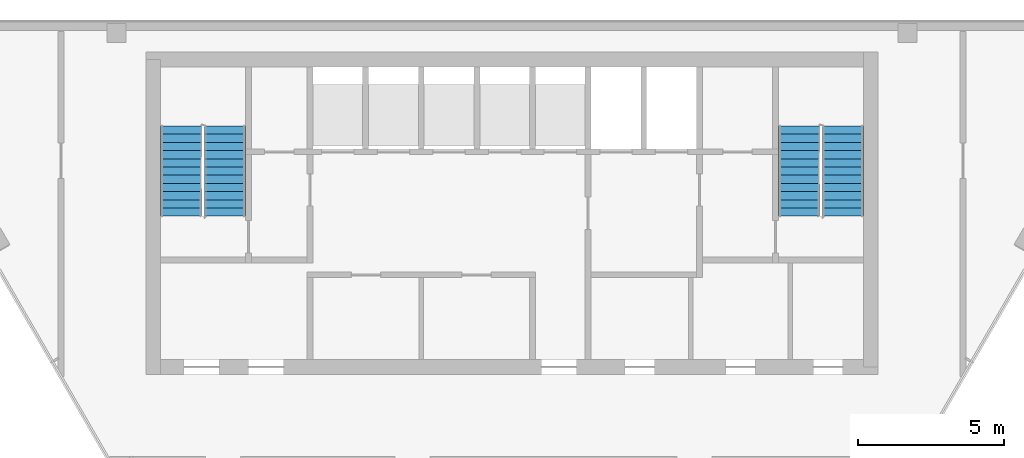
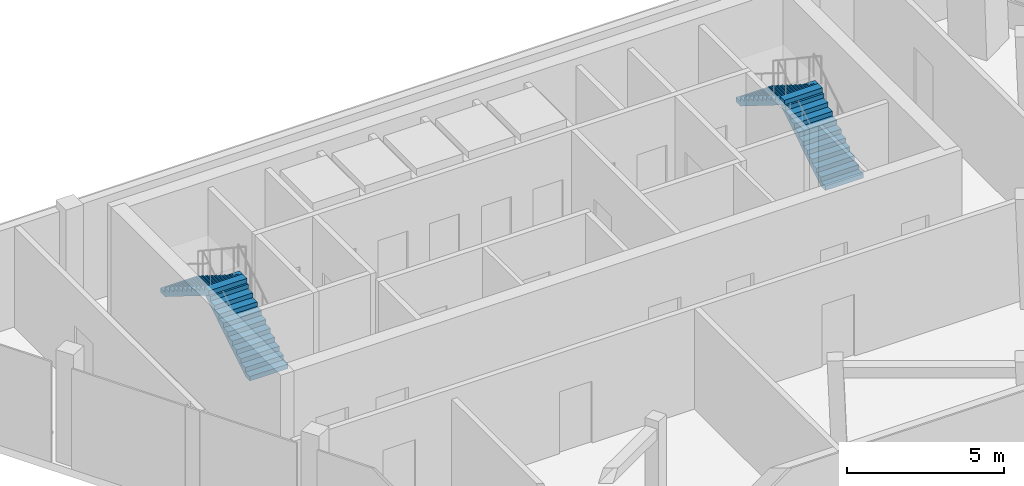
# One storey, part 6 of 8: 4 stair flights, 2 elements without a shape of their own.
"""IFC4 building model written with IfcOpenShell, lengths in metres."""

from ifc_helpers import new_model, si_unit, direction, frame, origin, place, context, subcontext, project, spatial, polyline, outline, extrude, material, type_object, element, aggregate, save


model = new_model("IFC4")

# Units and contexts
model_context = context("Model", 3, precision=1e-05, world=origin(), true_north=direction((0.0, 1.0)))
body_context = subcontext(model_context, "Body", "Model", "MODEL_VIEW")
ifc_project = project(units=[si_unit("LENGTHUNIT", "METRE"), si_unit("AREAUNIT", "SQUARE_METRE"), si_unit("VOLUMEUNIT", "CUBIC_METRE"), si_unit("PLANEANGLEUNIT", "RADIAN"), si_unit("MASSUNIT", "GRAM", prefix="KILO")], contexts=[model_context])

# Site, building, storey
site_placement = place(None, origin())
site = spatial("IfcSite", under=ifc_project, at=site_placement, CompositionType="ELEMENT")
building_placement = place(site_placement, origin())
building = spatial("IfcBuilding", under=site, at=building_placement, Name="Altiplano Prism Tower", CompositionType="ELEMENT")
storey_placement = place(building_placement, frame((0.0, 0.0, 338.800048828125)))
storey = spatial("IfcBuildingStorey", under=building, at=storey_placement, Name="L88", CompositionType="ELEMENT", Elevation=338.800048828125)

# Stair, stair flights
ifc_material = material(Name="Concrete C40/50", Category="concrete")
stair_type = type_object("IfcStairType", Name="Exit stair 1400", PredefinedType="HALF_TURN_STAIR", material=ifc_material)
stair_1_placement = place(storey_placement, origin())
stair_1 = element("IfcStair", 1, at=stair_1_placement, inside=storey, type_object=stair_type, Name="L88 Exit Stair 1", PredefinedType="HALF_TURN_STAIR")
stair_flight_type = type_object("IfcStairFlightType", Name="Stair flight concrete 150", PredefinedType="STRAIGHT", material=ifc_material)
stair_flight_1_placement = place(storey_placement, frame((75.199951171875, 98.300048828125, 0.0), z_axis=(0.0, 0.0, 1.0), x_axis=(0.0, 1.0, 0.0)))
stair_flight_1 = element("IfcStairFlight", 2, at=stair_flight_1_placement, type_object=stair_flight_type, Name="ST1 flight 1", NumberOfRisers=12, NumberOfTreads=11, PredefinedType="STRAIGHT", RiserHeight=0.175, TreadLength=0.28, context=body_context, shape_type="SweptSolid", body=[
    extrude(outline(polyline([(0.0, 0.0), (0.0, 0.175048828125), (0.280029296875, 0.175048828125), (0.280029296875, 0.35009765625), (0.56005859375, 0.35009765625), (0.56005859375, 0.52490234375), (0.840087890625, 0.52490234375), (0.840087890625, 0.699951171875), (1.1201171875, 0.699951171875), (1.1201171875, 0.875), (1.39990234375, 0.875), (1.39990234375, 1.050048828125), (1.679931640625, 1.050048828125), (1.679931640625, 1.22509765625), (1.9599609375, 1.22509765625), (1.9599609375, 1.39990234375), (2.239990234375, 1.39990234375), (2.239990234375, 1.574951171875), (2.52001953125, 1.574951171875), (2.52001953125, 1.75), (2.800048828125, 1.75), (2.800048828125, 1.925048828125), (3.080078125, 1.925048828125), (3.080078125, 2.10009765625), (3.080078125, 1.748291015625), (0.28271484375, 0.0), (0.0, 0.0)])), frame((0.0, 0.699951171875, 0.0), z_axis=(0.0, -1.0, 0.0), x_axis=(1.0, 0.0, 0.0)), (0.0, 0.0, 1.0), 1.39990234375),
])
stair_flight_2_placement = place(storey_placement, frame((73.699951171875, 101.3798828125, 2.099853515625), z_axis=(0.0, 0.0, 1.0), x_axis=(0.0, -1.0, 0.0)))
stair_flight_2 = element("IfcStairFlight", 3, at=stair_flight_2_placement, type_object=stair_flight_type, Name="ST1 flight 2", NumberOfRisers=12, NumberOfTreads=11, PredefinedType="STRAIGHT", RiserHeight=0.175, TreadLength=0.28, context=body_context, shape_type="SweptSolid", body=[
    extrude(outline(polyline([(0.0, 0.0), (0.0, 0.175048828125), (0.280029296875, 0.175048828125), (0.280029296875, 0.35009765625), (0.56005859375, 0.35009765625), (0.56005859375, 0.52490234375), (0.840087890625, 0.52490234375), (0.840087890625, 0.699951171875), (1.1201171875, 0.699951171875), (1.1201171875, 0.875), (1.39990234375, 0.875), (1.39990234375, 1.050048828125), (1.679931640625, 1.050048828125), (1.679931640625, 1.22509765625), (1.9599609375, 1.22509765625), (1.9599609375, 1.39990234375), (2.239990234375, 1.39990234375), (2.239990234375, 1.574951171875), (2.52001953125, 1.574951171875), (2.52001953125, 1.75), (2.800048828125, 1.75), (2.800048828125, 1.925048828125), (3.080078125, 1.925048828125), (3.080078125, 2.10009765625), (3.080078125, 1.748291015625), (0.28271484375, 0.0), (0.0, 0.0)])), frame((0.0, 0.699951171875, 0.0), z_axis=(0.0, -1.0, 0.0), x_axis=(1.0, 0.0, 0.0)), (0.0, 0.0, 1.0), 1.39990234375),
])
aggregate(stair_1, [stair_flight_1, stair_flight_2])

stair_2_placement = place(storey_placement, origin())
stair_2 = element("IfcStair", 4, at=stair_2_placement, inside=storey, type_object=stair_type, Name="L88 Exit Stair 2", PredefinedType="HALF_TURN_STAIR")
stair_flight_3_placement = place(storey_placement, frame((96.300048828125, 98.300048828125, 0.0), z_axis=(0.0, 0.0, 1.0), x_axis=(0.0, 1.0, 0.0)))
stair_flight_3 = element("IfcStairFlight", 5, at=stair_flight_3_placement, type_object=stair_flight_type, Name="ST2 flight 1", NumberOfRisers=12, NumberOfTreads=11, PredefinedType="STRAIGHT", RiserHeight=0.175, TreadLength=0.28, context=body_context, shape_type="SweptSolid", body=[
    extrude(outline(polyline([(0.0, 0.0), (0.0, 0.175048828125), (0.280029296875, 0.175048828125), (0.280029296875, 0.35009765625), (0.56005859375, 0.35009765625), (0.56005859375, 0.52490234375), (0.840087890625, 0.52490234375), (0.840087890625, 0.699951171875), (1.1201171875, 0.699951171875), (1.1201171875, 0.875), (1.39990234375, 0.875), (1.39990234375, 1.050048828125), (1.679931640625, 1.050048828125), (1.679931640625, 1.22509765625), (1.9599609375, 1.22509765625), (1.9599609375, 1.39990234375), (2.239990234375, 1.39990234375), (2.239990234375, 1.574951171875), (2.52001953125, 1.574951171875), (2.52001953125, 1.75), (2.800048828125, 1.75), (2.800048828125, 1.925048828125), (3.080078125, 1.925048828125), (3.080078125, 2.10009765625), (3.080078125, 1.748291015625), (0.28271484375, 0.0), (0.0, 0.0)])), frame((0.0, 0.699951171875, 0.0), z_axis=(0.0, -1.0, 0.0), x_axis=(1.0, 0.0, 0.0)), (0.0, 0.0, 1.0), 1.39990234375),
])
stair_flight_4_placement = place(storey_placement, frame((94.800048828125, 101.3798828125, 2.099853515625), z_axis=(0.0, 0.0, 1.0), x_axis=(0.0, -1.0, 0.0)))
stair_flight_4 = element("IfcStairFlight", 6, at=stair_flight_4_placement, type_object=stair_flight_type, Name="ST2 flight 2", NumberOfRisers=12, NumberOfTreads=11, PredefinedType="STRAIGHT", RiserHeight=0.175, TreadLength=0.28, context=body_context, shape_type="SweptSolid", body=[
    extrude(outline(polyline([(0.0, 0.0), (0.0, 0.175048828125), (0.280029296875, 0.175048828125), (0.280029296875, 0.35009765625), (0.56005859375, 0.35009765625), (0.56005859375, 0.52490234375), (0.840087890625, 0.52490234375), (0.840087890625, 0.699951171875), (1.1201171875, 0.699951171875), (1.1201171875, 0.875), (1.39990234375, 0.875), (1.39990234375, 1.050048828125), (1.679931640625, 1.050048828125), (1.679931640625, 1.22509765625), (1.9599609375, 1.22509765625), (1.9599609375, 1.39990234375), (2.239990234375, 1.39990234375), (2.239990234375, 1.574951171875), (2.52001953125, 1.574951171875), (2.52001953125, 1.75), (2.800048828125, 1.75), (2.800048828125, 1.925048828125), (3.080078125, 1.925048828125), (3.080078125, 2.10009765625), (3.080078125, 1.748291015625), (0.28271484375, 0.0), (0.0, 0.0)])), frame((0.0, 0.699951171875, 0.0), z_axis=(0.0, -1.0, 0.0), x_axis=(1.0, 0.0, 0.0)), (0.0, 0.0, 1.0), 1.39990234375),
])
aggregate(stair_2, [stair_flight_3, stair_flight_4])

save(model, "model.ifc")
